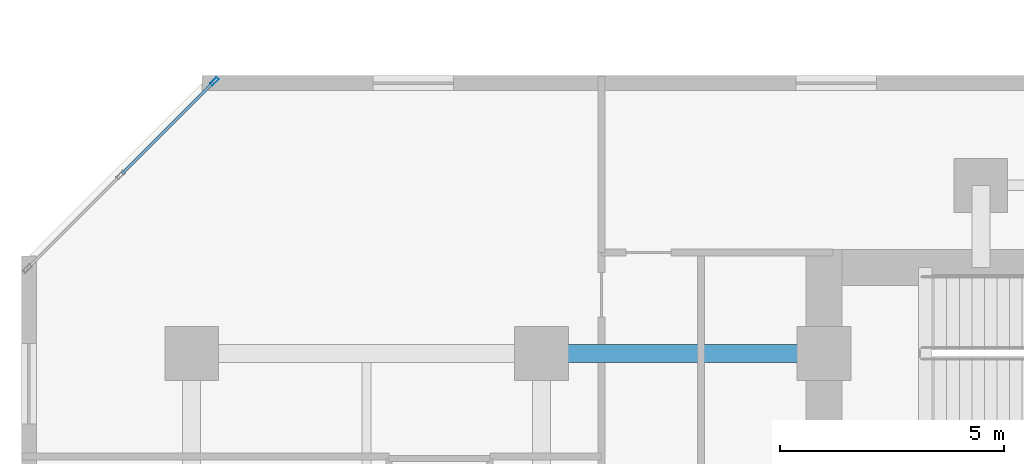
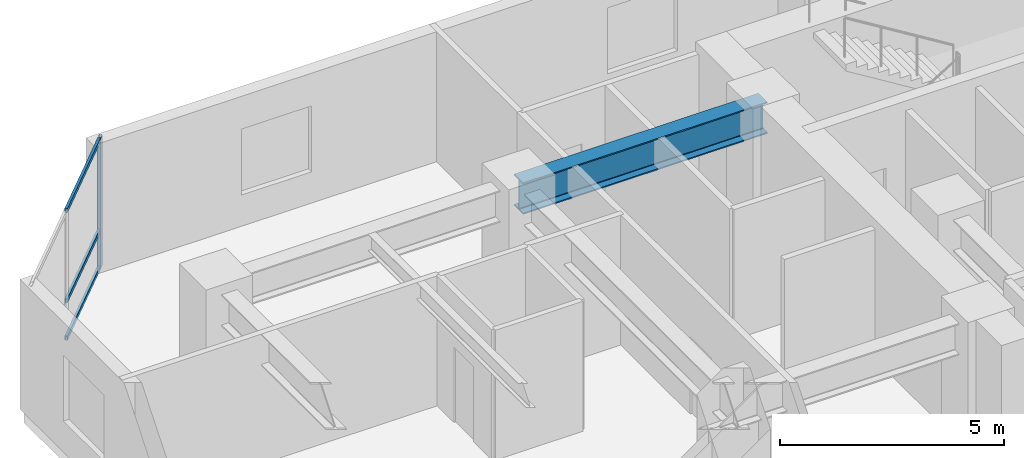
# One storey, part 4 of 12: 4 members, 1 beam, 1 element without a shape of its own.
"""IFC4 building model written with IfcOpenShell, lengths in metres."""

from ifc_helpers import new_model, si_unit, direction, frame, origin, origin_2d, place, context, subcontext, project, spatial, hollow_rectangle, i_section, extrude, material, layer, layer_set, material_profile, profile_set, type_object, element, aggregate, save


model = new_model("IFC4")

# Units and contexts
model_context = context("Model", 3, precision=1e-05, world=origin(), true_north=direction((0.0, 1.0)))
body_context = subcontext(model_context, "Body", "Model", "MODEL_VIEW")
ifc_project = project(units=[si_unit("LENGTHUNIT", "METRE"), si_unit("AREAUNIT", "SQUARE_METRE"), si_unit("VOLUMEUNIT", "CUBIC_METRE"), si_unit("PLANEANGLEUNIT", "RADIAN"), si_unit("MASSUNIT", "GRAM", prefix="KILO")], contexts=[model_context])

# Site, building, storey
site_placement = place(None, origin())
site = spatial("IfcSite", under=ifc_project, at=site_placement, CompositionType="ELEMENT")
building_placement = place(site_placement, origin())
building = spatial("IfcBuilding", under=site, at=building_placement, Name="Kestravale Grand Hotel", CompositionType="ELEMENT")
storey_placement = place(building_placement, frame((0.0, 0.0, 91.800048828125)))
storey = spatial("IfcBuildingStorey", under=building, at=storey_placement, Name="L22", CompositionType="ELEMENT", Elevation=91.800048828125)

# Beam
ifc_material_1 = material(Name="Steel ASTM A992 Grade 50", Category="steel")
ifc_material_profile_1 = material_profile(ifc_material_1, i_section(OverallWidth=0.40087890625, OverallDepth=0.861083984375, WebThickness=0.019775390625, FlangeThickness=0.032470703125, FilletRadius=0.0234375, at=origin_2d()))
ifc_profile_set_1 = profile_set([ifc_material_profile_1], Name="Steel ASTM A992 Grade 50")
beam_type = type_object("IfcBeamType", Name="B-GRD-W33", PredefinedType="BEAM", material=ifc_profile_set_1)
beam_placement = place(storey_placement, frame((15.60009765625, 38.39990234375, 3.109375), z_axis=(1.0, 0.0, 0.0), x_axis=(0.0, 1.0, 0.0)))
element("IfcBeam", 1, at=beam_placement, inside=storey, type_object=beam_type, Name="L22 girder F:3-CW", PredefinedType="BEAM", context=body_context, shape_type="SweptSolid", body=[
    extrude(i_section(OverallWidth=0.40087890625, OverallDepth=0.861083984375, WebThickness=0.019775390625, FlangeThickness=0.032470703125, FilletRadius=0.0234375, at=origin_2d()), origin(), (0.0, 0.0, 1.0), 6.2998046875),
])

# Curtain wall, members
ifc_material_2 = material(Name="Thermally broken champagne-bronze aluminium and low-E glazing", Category="aluminium")
ifc_layer = layer(ifc_material_2, 0.199951171875)
ifc_layer_set = layer_set([ifc_layer], Name="CW-Z2")
curtain_wall_type = type_object("IfcCurtainWallType", Name="CW-Z2", PredefinedType="NOTDEFINED", material=ifc_layer_set)
curtain_wall_placement = place(storey_placement, origin())
curtain_wall = element("IfcCurtainWall", 2, at=curtain_wall_placement, inside=storey, type_object=curtain_wall_type, Name="L22 unitised curtain wall 18", PredefinedType="NOTDEFINED")
ifc_material_3 = material(Name="Aluminium 6063-T6 anodised", Category="aluminium")
ifc_material_profile_2 = material_profile(ifc_material_3, hollow_rectangle(XDim=0.074951171875, YDim=0.199951171875, WallThickness=0.00390625, at=origin_2d()))
ifc_profile_set_2 = profile_set([ifc_material_profile_2], Name="Aluminium 6063-T6 anodised")
member_type_1 = type_object("IfcMemberType", Name="CW-MUL-200", PredefinedType="MULLION", material=ifc_profile_set_2)
member_1_placement = place(storey_placement, frame((8.307861328125, 44.467529296875, 0.0), z_axis=(0.0, 0.0, 1.0), x_axis=(0.707106781187, -0.707106781187, 0.0)))
member_1 = element("IfcMember", 3, at=member_1_placement, type_object=member_type_1, Name="CW-Z2 mullion 1", PredefinedType="MULLION", context=body_context, shape_type="SweptSolid", body=[
    extrude(hollow_rectangle(XDim=0.074951171875, YDim=0.199951171875, WallThickness=0.00390625, at=origin_2d()), origin(), (0.0, 0.0, 1.0), 3.5400390625),
])
ifc_material_4 = material(Name="Aluminium 6063-T6 anodised", Category="aluminium")
ifc_material_profile_3 = material_profile(ifc_material_4, hollow_rectangle(XDim=0.06494140625, YDim=0.114990234375, WallThickness=0.003173828125, at=origin_2d()))
ifc_profile_set_3 = profile_set([ifc_material_profile_3], Name="Aluminium 6063-T6 anodised")
member_type_2 = type_object("IfcMemberType", Name="CW-TRN-115", PredefinedType="USERDEFINED", material=ifc_profile_set_3)
member_2_placement = place(storey_placement, frame((8.28125, 44.44091796875, 0.032470703125), z_axis=(-0.707064354356, -0.707149205472, 0.0), x_axis=(0.707149205472, -0.707064354356, 0.0)))
member_2 = element("IfcMember", 4, at=member_2_placement, type_object=member_type_2, Name="CW-Z2 transom 1.1", ObjectType="TRANSOM", PredefinedType="USERDEFINED", context=body_context, shape_type="SweptSolid", body=[
    extrude(hollow_rectangle(XDim=0.06494140625, YDim=0.114990234375, WallThickness=0.003173828125, at=origin_2d()), origin(), (0.0, 0.0, 1.0), 2.877197265625),
])
member_3_placement = place(storey_placement, frame((8.28125, 44.44091796875, 1.050048828125), z_axis=(-0.707064354356, -0.707149205472, 0.0), x_axis=(0.707149205472, -0.707064354356, 0.0)))
member_3 = element("IfcMember", 5, at=member_3_placement, type_object=member_type_2, Name="CW-Z2 transom 1.2", ObjectType="TRANSOM", PredefinedType="USERDEFINED", context=body_context, shape_type="SweptSolid", body=[
    extrude(hollow_rectangle(XDim=0.06494140625, YDim=0.114990234375, WallThickness=0.003173828125, at=origin_2d()), origin(), (0.0, 0.0, 1.0), 2.877197265625),
])
member_4_placement = place(storey_placement, frame((8.28125, 44.44091796875, 3.507568359375), z_axis=(-0.707064354356, -0.707149205472, 0.0), x_axis=(0.707149205472, -0.707064354356, 0.0)))
member_4 = element("IfcMember", 6, at=member_4_placement, type_object=member_type_2, Name="CW-Z2 transom 1.3", ObjectType="TRANSOM", PredefinedType="USERDEFINED", context=body_context, shape_type="SweptSolid", body=[
    extrude(hollow_rectangle(XDim=0.06494140625, YDim=0.114990234375, WallThickness=0.003173828125, at=origin_2d()), origin(), (0.0, 0.0, 1.0), 2.877197265625),
])
aggregate(curtain_wall, [member_1, member_2, member_3, member_4])

save(model, "model.ifc")
